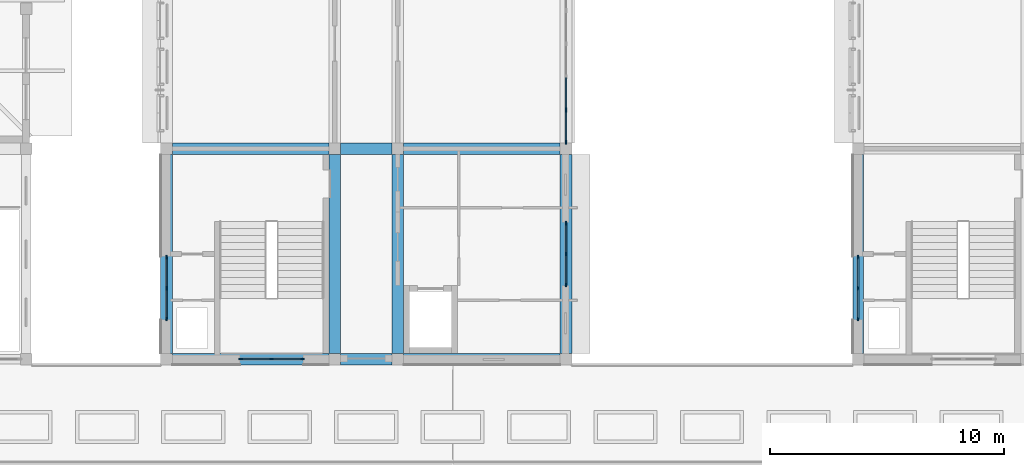
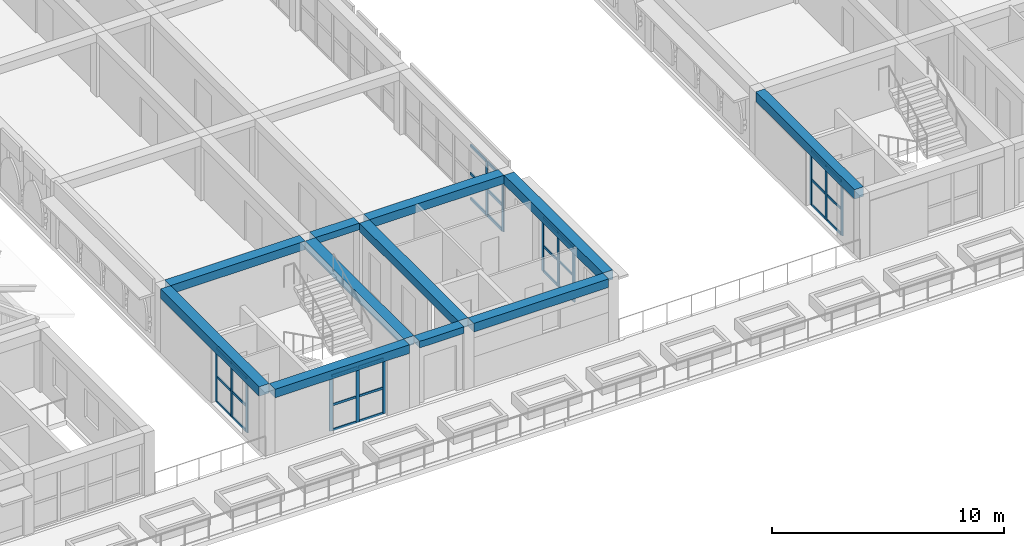
# One storey, part 15 of 82: 44 members, 11 beams, 5 elements without a shape of their own.
"""IFC4 building model written with IfcOpenShell, lengths in metres."""

from ifc_helpers import new_model, si_unit, direction, frame, origin, origin_2d, place, context, subcontext, project, spatial, rectangle, extrude, material, layer, layer_set, material_profile, profile_set, type_object, element, aggregate, save


model = new_model("IFC4")

# Units and contexts
model_context = context("Model", 3, precision=1e-05, world=origin(), true_north=direction((0.0, 1.0)))
body_context = subcontext(model_context, "Body", "Model", "MODEL_VIEW")
ifc_project = project(units=[si_unit("LENGTHUNIT", "METRE"), si_unit("AREAUNIT", "SQUARE_METRE"), si_unit("VOLUMEUNIT", "CUBIC_METRE"), si_unit("PLANEANGLEUNIT", "RADIAN"), si_unit("MASSUNIT", "GRAM", prefix="KILO")], contexts=[model_context])

# Site, building, storey
site_placement = place(None, origin())
site = spatial("IfcSite", under=ifc_project, at=site_placement, CompositionType="ELEMENT")
building_placement = place(site_placement, origin())
building = spatial("IfcBuilding", under=site, at=building_placement, Name="Elbe Cascade School", CompositionType="ELEMENT")
storey_placement = place(building_placement, frame((0.0, 0.0, 4.5)))
storey = spatial("IfcBuildingStorey", under=building, at=storey_placement, Name="L01", CompositionType="ELEMENT", Elevation=4.5)

# Curtain wall, members
ifc_material_1 = material(Name="Aluminium frame with double glazing, bronze anodised", Category="aluminium")
ifc_layer_1 = layer(ifc_material_1, 0.159912109375)
ifc_layer_set_1 = layer_set([ifc_layer_1], Name="Aluminium frame with double glazing, bronze anodised")
curtain_wall_type_1 = type_object("IfcCurtainWallType", Name="Bars envelope Curtain wall, aluminium, bronze anodised, storey-high slot", PredefinedType="NOTDEFINED", material=ifc_layer_set_1)
curtain_wall_1_placement = place(storey_placement, origin())
curtain_wall_1 = element("IfcCurtainWall", 1, at=curtain_wall_1_placement, inside=storey, type_object=curtain_wall_type_1, Name="Curtain wall CW4 A.L01.w1", PredefinedType="NOTDEFINED")
ifc_material_2 = material(Name="Aluminium mullion, bronze anodised", Category="aluminium")
ifc_material_profile_1 = material_profile(ifc_material_2, rectangle(XDim=0.06005859375, YDim=0.159912109375, at=origin_2d()), Name="Bars envelope Curtain wall mullion 60 x 160, aluminium, storey-high slot")
ifc_profile_set_1 = profile_set([ifc_material_profile_1], Name="Aluminium mullion, bronze anodised")
member_type_1 = type_object("IfcMemberType", Name="Bars envelope Curtain wall mullion 60 x 160, aluminium, storey-high slot", PredefinedType="MULLION", material=ifc_profile_set_1)
member_1_placement = place(storey_placement, frame((69.0, 7.719970703125, 0.0), z_axis=(0.0, 0.0, 1.0), x_axis=(-1.0, 0.0, 0.0)))
member_1 = element("IfcMember", 2, at=member_1_placement, type_object=member_type_1, Name="CW4 mullion 1", PredefinedType="MULLION", context=body_context, shape_type="SweptSolid", body=[
    extrude(rectangle(XDim=0.06005859375, YDim=0.159912109375, at=origin_2d()), origin(), (0.0, 0.0, 1.0), 2.85009765625),
])
member_2_placement = place(storey_placement, frame((69.0, 9.0400390625, 0.0), z_axis=(0.0, 0.0, 1.0), x_axis=(-1.0, 0.0, 0.0)))
member_2 = element("IfcMember", 3, at=member_2_placement, type_object=member_type_1, Name="CW4 mullion 2", PredefinedType="MULLION", context=body_context, shape_type="SweptSolid", body=[
    extrude(rectangle(XDim=0.06005859375, YDim=0.159912109375, at=origin_2d()), origin(), (0.0, 0.0, 1.0), 2.85009765625),
])
member_3_placement = place(storey_placement, frame((69.0, 10.360107421875, 0.0), z_axis=(0.0, 0.0, 1.0), x_axis=(-1.0, 0.0, 0.0)))
member_3 = element("IfcMember", 4, at=member_3_placement, type_object=member_type_1, Name="CW4 mullion 3", PredefinedType="MULLION", context=body_context, shape_type="SweptSolid", body=[
    extrude(rectangle(XDim=0.06005859375, YDim=0.159912109375, at=origin_2d()), origin(), (0.0, 0.0, 1.0), 2.85009765625),
])

curtain_wall_2_placement = place(storey_placement, origin())
curtain_wall_2 = element("IfcCurtainWall", 5, at=curtain_wall_2_placement, inside=storey, type_object=curtain_wall_type_1, Name="Curtain wall CW4 A.L01.e1", PredefinedType="NOTDEFINED")
member_4_placement = place(storey_placement, frame((86.10009765625, 11.820068359375, 0.0), z_axis=(0.0, 0.0, 1.0), x_axis=(1.0, 0.0, 0.0)))
member_4 = element("IfcMember", 6, at=member_4_placement, type_object=member_type_1, Name="CW4 mullion 1", PredefinedType="MULLION", context=body_context, shape_type="SweptSolid", body=[
    extrude(rectangle(XDim=0.06005859375, YDim=0.159912109375, at=origin_2d()), origin(), (0.0, 0.0, 1.0), 2.85009765625),
])
member_5_placement = place(storey_placement, frame((86.10009765625, 10.5, 0.0), z_axis=(0.0, 0.0, 1.0), x_axis=(1.0, 0.0, 0.0)))
member_5 = element("IfcMember", 7, at=member_5_placement, type_object=member_type_1, Name="CW4 mullion 2", PredefinedType="MULLION", context=body_context, shape_type="SweptSolid", body=[
    extrude(rectangle(XDim=0.06005859375, YDim=0.159912109375, at=origin_2d()), origin(), (0.0, 0.0, 1.0), 2.85009765625),
])
member_6_placement = place(storey_placement, frame((86.10009765625, 9.179931640625, 0.0), z_axis=(0.0, 0.0, 1.0), x_axis=(1.0, 0.0, 0.0)))
member_6 = element("IfcMember", 8, at=member_6_placement, type_object=member_type_1, Name="CW4 mullion 3", PredefinedType="MULLION", context=body_context, shape_type="SweptSolid", body=[
    extrude(rectangle(XDim=0.06005859375, YDim=0.159912109375, at=origin_2d()), origin(), (0.0, 0.0, 1.0), 2.85009765625),
])

curtain_wall_3_placement = place(storey_placement, origin())
curtain_wall_3 = element("IfcCurtainWall", 9, at=curtain_wall_3_placement, inside=storey, type_object=curtain_wall_type_1, Name="Curtain wall CW4 A.L01.s1", PredefinedType="NOTDEFINED")
member_7_placement = place(storey_placement, frame((74.820068359375, 6.0, 0.0), z_axis=(0.0, 0.0, 1.0), x_axis=(0.0, -1.0, 0.0)))
member_7 = element("IfcMember", 10, at=member_7_placement, type_object=member_type_1, Name="CW4 mullion 1", PredefinedType="MULLION", context=body_context, shape_type="SweptSolid", body=[
    extrude(rectangle(XDim=0.06005859375, YDim=0.159912109375, at=origin_2d()), origin(), (0.0, 0.0, 1.0), 2.89990234375),
])
member_8_placement = place(storey_placement, frame((73.5, 6.0, 0.0), z_axis=(0.0, 0.0, 1.0), x_axis=(0.0, -1.0, 0.0)))
member_8 = element("IfcMember", 11, at=member_8_placement, type_object=member_type_1, Name="CW4 mullion 2", PredefinedType="MULLION", context=body_context, shape_type="SweptSolid", body=[
    extrude(rectangle(XDim=0.06005859375, YDim=0.159912109375, at=origin_2d()), origin(), (0.0, 0.0, 1.0), 2.89990234375),
])
member_9_placement = place(storey_placement, frame((72.179931640625, 6.0, 0.0), z_axis=(0.0, 0.0, 1.0), x_axis=(0.0, -1.0, 0.0)))
member_9 = element("IfcMember", 12, at=member_9_placement, type_object=member_type_1, Name="CW4 mullion 3", PredefinedType="MULLION", context=body_context, shape_type="SweptSolid", body=[
    extrude(rectangle(XDim=0.06005859375, YDim=0.159912109375, at=origin_2d()), origin(), (0.0, 0.0, 1.0), 2.89990234375),
])

curtain_wall_4_placement = place(storey_placement, origin())
curtain_wall_4 = element("IfcCurtainWall", 13, at=curtain_wall_4_placement, inside=storey, type_object=curtain_wall_type_1, Name="Curtain wall CW4 B.L01.w1", PredefinedType="NOTDEFINED")
member_10_placement = place(storey_placement, frame((98.60009765625, 7.719970703125, 0.0), z_axis=(0.0, 0.0, 1.0), x_axis=(-1.0, 0.0, 0.0)))
member_10 = element("IfcMember", 14, at=member_10_placement, type_object=member_type_1, Name="CW4 mullion 1", PredefinedType="MULLION", context=body_context, shape_type="SweptSolid", body=[
    extrude(rectangle(XDim=0.06005859375, YDim=0.159912109375, at=origin_2d()), origin(), (0.0, 0.0, 1.0), 2.85009765625),
])
member_11_placement = place(storey_placement, frame((98.60009765625, 9.0400390625, 0.0), z_axis=(0.0, 0.0, 1.0), x_axis=(-1.0, 0.0, 0.0)))
member_11 = element("IfcMember", 15, at=member_11_placement, type_object=member_type_1, Name="CW4 mullion 2", PredefinedType="MULLION", context=body_context, shape_type="SweptSolid", body=[
    extrude(rectangle(XDim=0.06005859375, YDim=0.159912109375, at=origin_2d()), origin(), (0.0, 0.0, 1.0), 2.85009765625),
])
member_12_placement = place(storey_placement, frame((98.60009765625, 10.360107421875, 0.0), z_axis=(0.0, 0.0, 1.0), x_axis=(-1.0, 0.0, 0.0)))
member_12 = element("IfcMember", 16, at=member_12_placement, type_object=member_type_1, Name="CW4 mullion 3", PredefinedType="MULLION", context=body_context, shape_type="SweptSolid", body=[
    extrude(rectangle(XDim=0.06005859375, YDim=0.159912109375, at=origin_2d()), origin(), (0.0, 0.0, 1.0), 2.85009765625),
])

ifc_material_3 = material(Name="Aluminium frame with double glazing, bronze anodised", Category="aluminium")
ifc_layer_2 = layer(ifc_material_3, 0.179931640625)
ifc_layer_set_2 = layer_set([ifc_layer_2], Name="Aluminium frame with double glazing, bronze anodised")
curtain_wall_type_2 = type_object("IfcCurtainWallType", Name="Bars envelope Curtain wall, aluminium, bronze anodised, wide run", PredefinedType="NOTDEFINED", material=ifc_layer_set_2)
curtain_wall_5_placement = place(storey_placement, origin())
curtain_wall_5 = element("IfcCurtainWall", 17, at=curtain_wall_5_placement, inside=storey, type_object=curtain_wall_type_2, Name="Curtain wall CW5 A.L01.e2", PredefinedType="NOTDEFINED")
ifc_material_4 = material(Name="Aluminium mullion, bronze anodised", Category="aluminium")
ifc_material_profile_2 = material_profile(ifc_material_4, rectangle(XDim=0.06005859375, YDim=0.179931640625, at=origin_2d()), Name="Bars envelope Curtain wall mullion 60 x 180, aluminium, wide run")
ifc_profile_set_2 = profile_set([ifc_material_profile_2], Name="Aluminium mullion, bronze anodised")
member_type_2 = type_object("IfcMemberType", Name="Bars envelope Curtain wall mullion 60 x 180, aluminium, wide run", PredefinedType="MULLION", material=ifc_profile_set_2)
member_13_placement = place(storey_placement, frame((86.10009765625, 16.666748046875, 0.0), z_axis=(0.0, 0.0, 1.0), x_axis=(1.0, 0.0, 0.0)))
member_13 = element("IfcMember", 18, at=member_13_placement, type_object=member_type_2, Name="CW5 mullion 6", PredefinedType="MULLION", context=body_context, shape_type="SweptSolid", body=[
    extrude(rectangle(XDim=0.06005859375, YDim=0.179931640625, at=origin_2d()), origin(), (0.0, 0.0, 1.0), 2.85009765625),
])
member_14_placement = place(storey_placement, frame((86.10009765625, 15.280029296875, 0.0), z_axis=(0.0, 0.0, 1.0), x_axis=(1.0, 0.0, 0.0)))
member_14 = element("IfcMember", 19, at=member_14_placement, type_object=member_type_2, Name="CW5 mullion 7", PredefinedType="MULLION", context=body_context, shape_type="SweptSolid", body=[
    extrude(rectangle(XDim=0.06005859375, YDim=0.179931640625, at=origin_2d()), origin(), (0.0, 0.0, 1.0), 2.85009765625),
])

# Member
ifc_material_5 = material(Name="Aluminium transom, bronze anodised", Category="aluminium")
ifc_material_profile_3 = material_profile(ifc_material_5, rectangle(XDim=0.06005859375, YDim=0.1201171875, at=origin_2d()), Name="Bars envelope Curtain wall transom 60 x 120, aluminium, storey-high slot")
ifc_profile_set_3 = profile_set([ifc_material_profile_3], Name="Aluminium transom, bronze anodised")
member_type_3 = type_object("IfcMemberType", Name="Bars envelope Curtain wall transom 60 x 120, aluminium, storey-high slot", PredefinedType="USERDEFINED", material=ifc_profile_set_3)
member_15_placement = place(storey_placement, frame((69.0, 7.75, 0.030029296875), z_axis=(0.0, 1.0, 0.0), x_axis=(-1.0, 0.0, 0.0)))
member_15 = element("IfcMember", 20, at=member_15_placement, type_object=member_type_3, Name="CW4 transom 1.1", ObjectType="TRANSOM", PredefinedType="USERDEFINED", context=body_context, shape_type="SweptSolid", body=[
    extrude(rectangle(XDim=0.06005859375, YDim=0.1201171875, at=origin_2d()), origin(), (0.0, 0.0, 1.0), 1.260009765625),
])

member_16_placement = place(storey_placement, frame((69.0, 7.75, 1.35009765625), z_axis=(0.0, 1.0, 0.0), x_axis=(-1.0, 0.0, 0.0)))
member_16 = element("IfcMember", 21, at=member_16_placement, type_object=member_type_3, Name="CW4 transom 1.2", ObjectType="TRANSOM", PredefinedType="USERDEFINED", context=body_context, shape_type="SweptSolid", body=[
    extrude(rectangle(XDim=0.06005859375, YDim=0.1201171875, at=origin_2d()), origin(), (0.0, 0.0, 1.0), 1.260009765625),
])

member_17_placement = place(storey_placement, frame((69.0, 7.75, 2.820068359375), z_axis=(0.0, 1.0, 0.0), x_axis=(-1.0, 0.0, 0.0)))
member_17 = element("IfcMember", 22, at=member_17_placement, type_object=member_type_3, Name="CW4 transom 1.3", ObjectType="TRANSOM", PredefinedType="USERDEFINED", context=body_context, shape_type="SweptSolid", body=[
    extrude(rectangle(XDim=0.06005859375, YDim=0.1201171875, at=origin_2d()), origin(), (0.0, 0.0, 1.0), 1.260009765625),
])

member_18_placement = place(storey_placement, frame((69.0, 9.070068359375, 0.030029296875), z_axis=(0.0, 1.0, 0.0), x_axis=(-1.0, 0.0, 0.0)))
member_18 = element("IfcMember", 23, at=member_18_placement, type_object=member_type_3, Name="CW4 transom 2.1", ObjectType="TRANSOM", PredefinedType="USERDEFINED", context=body_context, shape_type="SweptSolid", body=[
    extrude(rectangle(XDim=0.06005859375, YDim=0.1201171875, at=origin_2d()), origin(), (0.0, 0.0, 1.0), 1.260009765625),
])

member_19_placement = place(storey_placement, frame((69.0, 9.070068359375, 1.35009765625), z_axis=(0.0, 1.0, 0.0), x_axis=(-1.0, 0.0, 0.0)))
member_19 = element("IfcMember", 24, at=member_19_placement, type_object=member_type_3, Name="CW4 transom 2.2", ObjectType="TRANSOM", PredefinedType="USERDEFINED", context=body_context, shape_type="SweptSolid", body=[
    extrude(rectangle(XDim=0.06005859375, YDim=0.1201171875, at=origin_2d()), origin(), (0.0, 0.0, 1.0), 1.260009765625),
])

member_20_placement = place(storey_placement, frame((69.0, 9.070068359375, 2.820068359375), z_axis=(0.0, 1.0, 0.0), x_axis=(-1.0, 0.0, 0.0)))
member_20 = element("IfcMember", 25, at=member_20_placement, type_object=member_type_3, Name="CW4 transom 2.3", ObjectType="TRANSOM", PredefinedType="USERDEFINED", context=body_context, shape_type="SweptSolid", body=[
    extrude(rectangle(XDim=0.06005859375, YDim=0.1201171875, at=origin_2d()), origin(), (0.0, 0.0, 1.0), 1.260009765625),
])

aggregate(curtain_wall_1, [member_1, member_2, member_3, member_15, member_16, member_17, member_18, member_19, member_20])

member_21_placement = place(storey_placement, frame((86.10009765625, 11.7900390625, 0.030029296875), z_axis=(0.0, -1.0, 0.0), x_axis=(1.0, 0.0, 0.0)))
member_21 = element("IfcMember", 26, at=member_21_placement, type_object=member_type_3, Name="CW4 transom 1.1", ObjectType="TRANSOM", PredefinedType="USERDEFINED", context=body_context, shape_type="SweptSolid", body=[
    extrude(rectangle(XDim=0.06005859375, YDim=0.1201171875, at=origin_2d()), origin(), (0.0, 0.0, 1.0), 1.260009765625),
])

member_22_placement = place(storey_placement, frame((86.10009765625, 11.7900390625, 1.35009765625), z_axis=(0.0, -1.0, 0.0), x_axis=(1.0, 0.0, 0.0)))
member_22 = element("IfcMember", 27, at=member_22_placement, type_object=member_type_3, Name="CW4 transom 1.2", ObjectType="TRANSOM", PredefinedType="USERDEFINED", context=body_context, shape_type="SweptSolid", body=[
    extrude(rectangle(XDim=0.06005859375, YDim=0.1201171875, at=origin_2d()), origin(), (0.0, 0.0, 1.0), 1.260009765625),
])

member_23_placement = place(storey_placement, frame((86.10009765625, 11.7900390625, 2.820068359375), z_axis=(0.0, -1.0, 0.0), x_axis=(1.0, 0.0, 0.0)))
member_23 = element("IfcMember", 28, at=member_23_placement, type_object=member_type_3, Name="CW4 transom 1.3", ObjectType="TRANSOM", PredefinedType="USERDEFINED", context=body_context, shape_type="SweptSolid", body=[
    extrude(rectangle(XDim=0.06005859375, YDim=0.1201171875, at=origin_2d()), origin(), (0.0, 0.0, 1.0), 1.260009765625),
])

member_24_placement = place(storey_placement, frame((86.10009765625, 10.469970703125, 0.030029296875), z_axis=(0.0, -1.0, 0.0), x_axis=(1.0, 0.0, 0.0)))
member_24 = element("IfcMember", 29, at=member_24_placement, type_object=member_type_3, Name="CW4 transom 2.1", ObjectType="TRANSOM", PredefinedType="USERDEFINED", context=body_context, shape_type="SweptSolid", body=[
    extrude(rectangle(XDim=0.06005859375, YDim=0.1201171875, at=origin_2d()), origin(), (0.0, 0.0, 1.0), 1.260009765625),
])

member_25_placement = place(storey_placement, frame((86.10009765625, 10.469970703125, 1.35009765625), z_axis=(0.0, -1.0, 0.0), x_axis=(1.0, 0.0, 0.0)))
member_25 = element("IfcMember", 30, at=member_25_placement, type_object=member_type_3, Name="CW4 transom 2.2", ObjectType="TRANSOM", PredefinedType="USERDEFINED", context=body_context, shape_type="SweptSolid", body=[
    extrude(rectangle(XDim=0.06005859375, YDim=0.1201171875, at=origin_2d()), origin(), (0.0, 0.0, 1.0), 1.260009765625),
])

member_26_placement = place(storey_placement, frame((86.10009765625, 10.469970703125, 2.820068359375), z_axis=(0.0, -1.0, 0.0), x_axis=(1.0, 0.0, 0.0)))
member_26 = element("IfcMember", 31, at=member_26_placement, type_object=member_type_3, Name="CW4 transom 2.3", ObjectType="TRANSOM", PredefinedType="USERDEFINED", context=body_context, shape_type="SweptSolid", body=[
    extrude(rectangle(XDim=0.06005859375, YDim=0.1201171875, at=origin_2d()), origin(), (0.0, 0.0, 1.0), 1.260009765625),
])

aggregate(curtain_wall_2, [member_4, member_5, member_6, member_21, member_22, member_23, member_24, member_25, member_26])

member_27_placement = place(storey_placement, frame((74.7900390625, 6.0, 0.030029296875), z_axis=(-1.0, 0.0, 0.0), x_axis=(0.0, -1.0, 0.0)))
member_27 = element("IfcMember", 32, at=member_27_placement, type_object=member_type_3, Name="CW4 transom 1.1", ObjectType="TRANSOM", PredefinedType="USERDEFINED", context=body_context, shape_type="SweptSolid", body=[
    extrude(rectangle(XDim=0.06005859375, YDim=0.1201171875, at=origin_2d()), origin(), (0.0, 0.0, 1.0), 1.260009765625),
])

member_28_placement = place(storey_placement, frame((74.7900390625, 6.0, 1.35009765625), z_axis=(-1.0, 0.0, 0.0), x_axis=(0.0, -1.0, 0.0)))
member_28 = element("IfcMember", 33, at=member_28_placement, type_object=member_type_3, Name="CW4 transom 1.2", ObjectType="TRANSOM", PredefinedType="USERDEFINED", context=body_context, shape_type="SweptSolid", body=[
    extrude(rectangle(XDim=0.06005859375, YDim=0.1201171875, at=origin_2d()), origin(), (0.0, 0.0, 1.0), 1.260009765625),
])

member_29_placement = place(storey_placement, frame((74.7900390625, 6.0, 2.8701171875), z_axis=(-1.0, 0.0, 0.0), x_axis=(0.0, -1.0, 0.0)))
member_29 = element("IfcMember", 34, at=member_29_placement, type_object=member_type_3, Name="CW4 transom 1.3", ObjectType="TRANSOM", PredefinedType="USERDEFINED", context=body_context, shape_type="SweptSolid", body=[
    extrude(rectangle(XDim=0.06005859375, YDim=0.1201171875, at=origin_2d()), origin(), (0.0, 0.0, 1.0), 1.260009765625),
])

member_30_placement = place(storey_placement, frame((73.469970703125, 6.0, 0.030029296875), z_axis=(-1.0, 0.0, 0.0), x_axis=(0.0, -1.0, 0.0)))
member_30 = element("IfcMember", 35, at=member_30_placement, type_object=member_type_3, Name="CW4 transom 2.1", ObjectType="TRANSOM", PredefinedType="USERDEFINED", context=body_context, shape_type="SweptSolid", body=[
    extrude(rectangle(XDim=0.06005859375, YDim=0.1201171875, at=origin_2d()), origin(), (0.0, 0.0, 1.0), 1.260009765625),
])

member_31_placement = place(storey_placement, frame((73.469970703125, 6.0, 1.35009765625), z_axis=(-1.0, 0.0, 0.0), x_axis=(0.0, -1.0, 0.0)))
member_31 = element("IfcMember", 36, at=member_31_placement, type_object=member_type_3, Name="CW4 transom 2.2", ObjectType="TRANSOM", PredefinedType="USERDEFINED", context=body_context, shape_type="SweptSolid", body=[
    extrude(rectangle(XDim=0.06005859375, YDim=0.1201171875, at=origin_2d()), origin(), (0.0, 0.0, 1.0), 1.260009765625),
])

member_32_placement = place(storey_placement, frame((73.469970703125, 6.0, 2.8701171875), z_axis=(-1.0, 0.0, 0.0), x_axis=(0.0, -1.0, 0.0)))
member_32 = element("IfcMember", 37, at=member_32_placement, type_object=member_type_3, Name="CW4 transom 2.3", ObjectType="TRANSOM", PredefinedType="USERDEFINED", context=body_context, shape_type="SweptSolid", body=[
    extrude(rectangle(XDim=0.06005859375, YDim=0.1201171875, at=origin_2d()), origin(), (0.0, 0.0, 1.0), 1.260009765625),
])

aggregate(curtain_wall_3, [member_7, member_8, member_9, member_27, member_28, member_29, member_30, member_31, member_32])

member_33_placement = place(storey_placement, frame((98.60009765625, 7.75, 0.030029296875), z_axis=(0.0, 1.0, 0.0), x_axis=(-1.0, 0.0, 0.0)))
member_33 = element("IfcMember", 38, at=member_33_placement, type_object=member_type_3, Name="CW4 transom 1.1", ObjectType="TRANSOM", PredefinedType="USERDEFINED", context=body_context, shape_type="SweptSolid", body=[
    extrude(rectangle(XDim=0.06005859375, YDim=0.1201171875, at=origin_2d()), origin(), (0.0, 0.0, 1.0), 1.260009765625),
])

member_34_placement = place(storey_placement, frame((98.60009765625, 7.75, 1.35009765625), z_axis=(0.0, 1.0, 0.0), x_axis=(-1.0, 0.0, 0.0)))
member_34 = element("IfcMember", 39, at=member_34_placement, type_object=member_type_3, Name="CW4 transom 1.2", ObjectType="TRANSOM", PredefinedType="USERDEFINED", context=body_context, shape_type="SweptSolid", body=[
    extrude(rectangle(XDim=0.06005859375, YDim=0.1201171875, at=origin_2d()), origin(), (0.0, 0.0, 1.0), 1.260009765625),
])

member_35_placement = place(storey_placement, frame((98.60009765625, 7.75, 2.820068359375), z_axis=(0.0, 1.0, 0.0), x_axis=(-1.0, 0.0, 0.0)))
member_35 = element("IfcMember", 40, at=member_35_placement, type_object=member_type_3, Name="CW4 transom 1.3", ObjectType="TRANSOM", PredefinedType="USERDEFINED", context=body_context, shape_type="SweptSolid", body=[
    extrude(rectangle(XDim=0.06005859375, YDim=0.1201171875, at=origin_2d()), origin(), (0.0, 0.0, 1.0), 1.260009765625),
])

member_36_placement = place(storey_placement, frame((98.60009765625, 9.070068359375, 0.030029296875), z_axis=(0.0, 1.0, 0.0), x_axis=(-1.0, 0.0, 0.0)))
member_36 = element("IfcMember", 41, at=member_36_placement, type_object=member_type_3, Name="CW4 transom 2.1", ObjectType="TRANSOM", PredefinedType="USERDEFINED", context=body_context, shape_type="SweptSolid", body=[
    extrude(rectangle(XDim=0.06005859375, YDim=0.1201171875, at=origin_2d()), origin(), (0.0, 0.0, 1.0), 1.260009765625),
])

member_37_placement = place(storey_placement, frame((98.60009765625, 9.070068359375, 1.35009765625), z_axis=(0.0, 1.0, 0.0), x_axis=(-1.0, 0.0, 0.0)))
member_37 = element("IfcMember", 42, at=member_37_placement, type_object=member_type_3, Name="CW4 transom 2.2", ObjectType="TRANSOM", PredefinedType="USERDEFINED", context=body_context, shape_type="SweptSolid", body=[
    extrude(rectangle(XDim=0.06005859375, YDim=0.1201171875, at=origin_2d()), origin(), (0.0, 0.0, 1.0), 1.260009765625),
])

member_38_placement = place(storey_placement, frame((98.60009765625, 9.070068359375, 2.820068359375), z_axis=(0.0, 1.0, 0.0), x_axis=(-1.0, 0.0, 0.0)))
member_38 = element("IfcMember", 43, at=member_38_placement, type_object=member_type_3, Name="CW4 transom 2.3", ObjectType="TRANSOM", PredefinedType="USERDEFINED", context=body_context, shape_type="SweptSolid", body=[
    extrude(rectangle(XDim=0.06005859375, YDim=0.1201171875, at=origin_2d()), origin(), (0.0, 0.0, 1.0), 1.260009765625),
])

aggregate(curtain_wall_4, [member_10, member_11, member_12, member_33, member_34, member_35, member_36, member_37, member_38])

ifc_material_6 = material(Name="Aluminium transom, bronze anodised", Category="aluminium")
ifc_material_profile_4 = material_profile(ifc_material_6, rectangle(XDim=0.06005859375, YDim=0.14990234375, at=origin_2d()), Name="Bars envelope Curtain wall transom 60 x 150, aluminium, wide run")
ifc_profile_set_4 = profile_set([ifc_material_profile_4], Name="Aluminium transom, bronze anodised")
member_type_4 = type_object("IfcMemberType", Name="Bars envelope Curtain wall transom 60 x 150, aluminium, wide run", PredefinedType="USERDEFINED", material=ifc_profile_set_4)
member_39_placement = place(storey_placement, frame((86.10009765625, 18.05322265625, 0.030029296875), z_axis=(0.0, -1.0, 0.0), x_axis=(1.0, 0.0, 0.0)))
member_39 = element("IfcMember", 44, at=member_39_placement, type_object=member_type_4, Name="CW5 transom 5.1", ObjectType="TRANSOM", PredefinedType="USERDEFINED", context=body_context, shape_type="SweptSolid", body=[
    extrude(rectangle(XDim=0.06005859375, YDim=0.14990234375, at=origin_2d()), origin(), (0.0, 0.0, 1.0), 1.3564453125),
])

member_40_placement = place(storey_placement, frame((86.10009765625, 18.05322265625, 1.35009765625), z_axis=(0.0, -1.0, 0.0), x_axis=(1.0, 0.0, 0.0)))
member_40 = element("IfcMember", 45, at=member_40_placement, type_object=member_type_4, Name="CW5 transom 5.2", ObjectType="TRANSOM", PredefinedType="USERDEFINED", context=body_context, shape_type="SweptSolid", body=[
    extrude(rectangle(XDim=0.06005859375, YDim=0.14990234375, at=origin_2d()), origin(), (0.0, 0.0, 1.0), 1.3564453125),
])

member_41_placement = place(storey_placement, frame((86.10009765625, 18.05322265625, 2.820068359375), z_axis=(0.0, -1.0, 0.0), x_axis=(1.0, 0.0, 0.0)))
member_41 = element("IfcMember", 46, at=member_41_placement, type_object=member_type_4, Name="CW5 transom 5.3", ObjectType="TRANSOM", PredefinedType="USERDEFINED", context=body_context, shape_type="SweptSolid", body=[
    extrude(rectangle(XDim=0.06005859375, YDim=0.14990234375, at=origin_2d()), origin(), (0.0, 0.0, 1.0), 1.3564453125),
])

member_42_placement = place(storey_placement, frame((86.10009765625, 16.63671875, 0.030029296875), z_axis=(0.0, -1.0, 0.0), x_axis=(1.0, 0.0, 0.0)))
member_42 = element("IfcMember", 47, at=member_42_placement, type_object=member_type_4, Name="CW5 transom 6.1", ObjectType="TRANSOM", PredefinedType="USERDEFINED", context=body_context, shape_type="SweptSolid", body=[
    extrude(rectangle(XDim=0.06005859375, YDim=0.14990234375, at=origin_2d()), origin(), (0.0, 0.0, 1.0), 1.32666015625),
])

member_43_placement = place(storey_placement, frame((86.10009765625, 16.63671875, 1.35009765625), z_axis=(0.0, -1.0, 0.0), x_axis=(1.0, 0.0, 0.0)))
member_43 = element("IfcMember", 48, at=member_43_placement, type_object=member_type_4, Name="CW5 transom 6.2", ObjectType="TRANSOM", PredefinedType="USERDEFINED", context=body_context, shape_type="SweptSolid", body=[
    extrude(rectangle(XDim=0.06005859375, YDim=0.14990234375, at=origin_2d()), origin(), (0.0, 0.0, 1.0), 1.32666015625),
])

member_44_placement = place(storey_placement, frame((86.10009765625, 16.63671875, 2.820068359375), z_axis=(0.0, -1.0, 0.0), x_axis=(1.0, 0.0, 0.0)))
member_44 = element("IfcMember", 49, at=member_44_placement, type_object=member_type_4, Name="CW5 transom 6.3", ObjectType="TRANSOM", PredefinedType="USERDEFINED", context=body_context, shape_type="SweptSolid", body=[
    extrude(rectangle(XDim=0.06005859375, YDim=0.14990234375, at=origin_2d()), origin(), (0.0, 0.0, 1.0), 1.32666015625),
])

aggregate(curtain_wall_5, [member_13, member_14, member_39, member_40, member_41, member_42, member_43, member_44])

# Beams
ifc_material_7 = material(Name="Concrete C30/37", Category="concrete")
ifc_material_profile_5 = material_profile(ifc_material_7, rectangle(XDim=0.449951171875, YDim=0.5, at=origin_2d()), Name="RC 450x500")
ifc_profile_set_5 = profile_set([ifc_material_profile_5], Name="Concrete C30/37")
beam_type_1 = type_object("IfcBeamType", Name="RC 450x500 beam", PredefinedType="BEAM", material=ifc_profile_set_5)
beam_1_placement = place(storey_placement, frame((98.60009765625, 6.25, 3.10009765625), z_axis=(0.0, 1.0, 0.0), x_axis=(-1.0, 0.0, 0.0)))
element("IfcBeam", 50, at=beam_1_placement, inside=storey, type_object=beam_type_1, Name="RC 450x500 beam B9", PredefinedType="BEAM", context=body_context, shape_type="SweptSolid", body=[
    extrude(rectangle(XDim=0.449951171875, YDim=0.5, at=origin_2d()), origin(), (0.0, 0.0, 1.0), 8.5),
])
ifc_material_8 = material(Name="Concrete C30/37", Category="concrete")
ifc_material_profile_6 = material_profile(ifc_material_8, rectangle(XDim=0.5, YDim=0.35009765625, at=origin_2d()), Name="RC 500x350")
ifc_profile_set_6 = profile_set([ifc_material_profile_6], Name="Concrete C30/37")
beam_type_2 = type_object("IfcBeamType", Name="RC 500x350 beam", PredefinedType="BEAM", material=ifc_profile_set_6)
for number, where, z_axis, x_axis, name in (
    (51, (76.449951171875, 6.0, 3.175048828125), (1.0, 0.0, 0.0), (0.0, 1.0, 0.0), "RC 500x350 beam B8"),
    (52, (76.449951171875, 15.0, 3.175048828125), (1.0, 0.0, 0.0), (0.0, 1.0, 0.0), "RC 500x350 beam B8"),
):
    element("IfcBeam", number, at=place(storey_placement, frame(where, z_axis=z_axis, x_axis=x_axis)), inside=storey, type_object=beam_type_2, Name=name, PredefinedType="BEAM", context=body_context, shape_type="SweptSolid", body=[
        extrude(rectangle(XDim=0.5, YDim=0.35009765625, at=origin_2d()), origin(), (0.0, 0.0, 1.0), 2.199951171875),
    ])
ifc_material_9 = material(Name="Concrete C30/37", Category="concrete")
ifc_material_profile_7 = material_profile(ifc_material_9, rectangle(XDim=0.5, YDim=0.449951171875, at=origin_2d()), Name="RC 500x450")
ifc_profile_set_7 = profile_set([ifc_material_profile_7], Name="Concrete C30/37")
beam_type_3 = type_object("IfcBeamType", Name="RC 500x450 beam", PredefinedType="BEAM", material=ifc_profile_set_7)
for number, where, z_axis, x_axis, name in (
    (53, (76.199951171875, 6.25, 3.125), (0.0, 1.0, 0.0), (-1.0, 0.0, 0.0), "RC 500x450 beam B7"),
    (54, (78.89990234375, 6.25, 3.125), (0.0, 1.0, 0.0), (-1.0, 0.0, 0.0), "RC 500x450 beam B7"),
):
    element("IfcBeam", number, at=place(storey_placement, frame(where, z_axis=z_axis, x_axis=x_axis)), inside=storey, type_object=beam_type_3, Name=name, PredefinedType="BEAM", context=body_context, shape_type="SweptSolid", body=[
        extrude(rectangle(XDim=0.5, YDim=0.449951171875, at=origin_2d()), origin(), (0.0, 0.0, 1.0), 8.5),
    ])
beam_2_placement = place(storey_placement, frame((69.25, 6.0, 3.125), z_axis=(1.0, 0.0, 0.0), x_axis=(0.0, 1.0, 0.0)))
element("IfcBeam", 55, at=beam_2_placement, inside=storey, type_object=beam_type_3, Name="RC 500x450 beam B7", PredefinedType="BEAM", context=body_context, shape_type="SweptSolid", body=[
    extrude(rectangle(XDim=0.5, YDim=0.449951171875, at=origin_2d()), origin(), (0.0, 0.0, 1.0), 6.699951171875),
])
beam_3_placement = place(storey_placement, frame((79.14990234375, 6.0, 3.125), z_axis=(1.0, 0.0, 0.0), x_axis=(0.0, 1.0, 0.0)))
element("IfcBeam", 56, at=beam_3_placement, inside=storey, type_object=beam_type_3, Name="RC 500x450 beam B7", PredefinedType="BEAM", context=body_context, shape_type="SweptSolid", body=[
    extrude(rectangle(XDim=0.5, YDim=0.449951171875, at=origin_2d()), origin(), (0.0, 0.0, 1.0), 6.7001953125),
])
beam_4_placement = place(storey_placement, frame((69.25, 15.0, 3.125), z_axis=(1.0, 0.0, 0.0), x_axis=(0.0, 1.0, 0.0)))
element("IfcBeam", 57, at=beam_4_placement, inside=storey, type_object=beam_type_3, Name="RC 500x450 beam B7", PredefinedType="BEAM", context=body_context, shape_type="SweptSolid", body=[
    extrude(rectangle(XDim=0.5, YDim=0.449951171875, at=origin_2d()), origin(), (0.0, 0.0, 1.0), 6.699951171875),
])
beam_5_placement = place(storey_placement, frame((79.14990234375, 15.0, 3.125), z_axis=(1.0, 0.0, 0.0), x_axis=(0.0, 1.0, 0.0)))
element("IfcBeam", 58, at=beam_5_placement, inside=storey, type_object=beam_type_3, Name="RC 500x450 beam B7", PredefinedType="BEAM", context=body_context, shape_type="SweptSolid", body=[
    extrude(rectangle(XDim=0.5, YDim=0.449951171875, at=origin_2d()), origin(), (0.0, 0.0, 1.0), 6.7001953125),
])
ifc_material_10 = material(Name="Concrete C30/37", Category="concrete")
ifc_material_profile_8 = material_profile(ifc_material_10, rectangle(XDim=0.5, YDim=0.5, at=origin_2d()), Name="RC 500x500")
ifc_profile_set_8 = profile_set([ifc_material_profile_8], Name="Concrete C30/37")
beam_type_4 = type_object("IfcBeamType", Name="RC 500x500 beam", PredefinedType="BEAM", material=ifc_profile_set_8)
for number, where, z_axis, x_axis, name in (
    (59, (69.0, 6.25, 3.10009765625), (0.0, 1.0, 0.0), (-1.0, 0.0, 0.0), "RC 500x500 beam B6"),
    (60, (86.10009765625, 6.25, 3.10009765625), (0.0, 1.0, 0.0), (-1.0, 0.0, 0.0), "RC 500x500 beam B6"),
):
    element("IfcBeam", number, at=place(storey_placement, frame(where, z_axis=z_axis, x_axis=x_axis)), inside=storey, type_object=beam_type_4, Name=name, PredefinedType="BEAM", context=body_context, shape_type="SweptSolid", body=[
        extrude(rectangle(XDim=0.5, YDim=0.5, at=origin_2d()), origin(), (0.0, 0.0, 1.0), 8.5),
    ])

save(model, "model.ifc")
